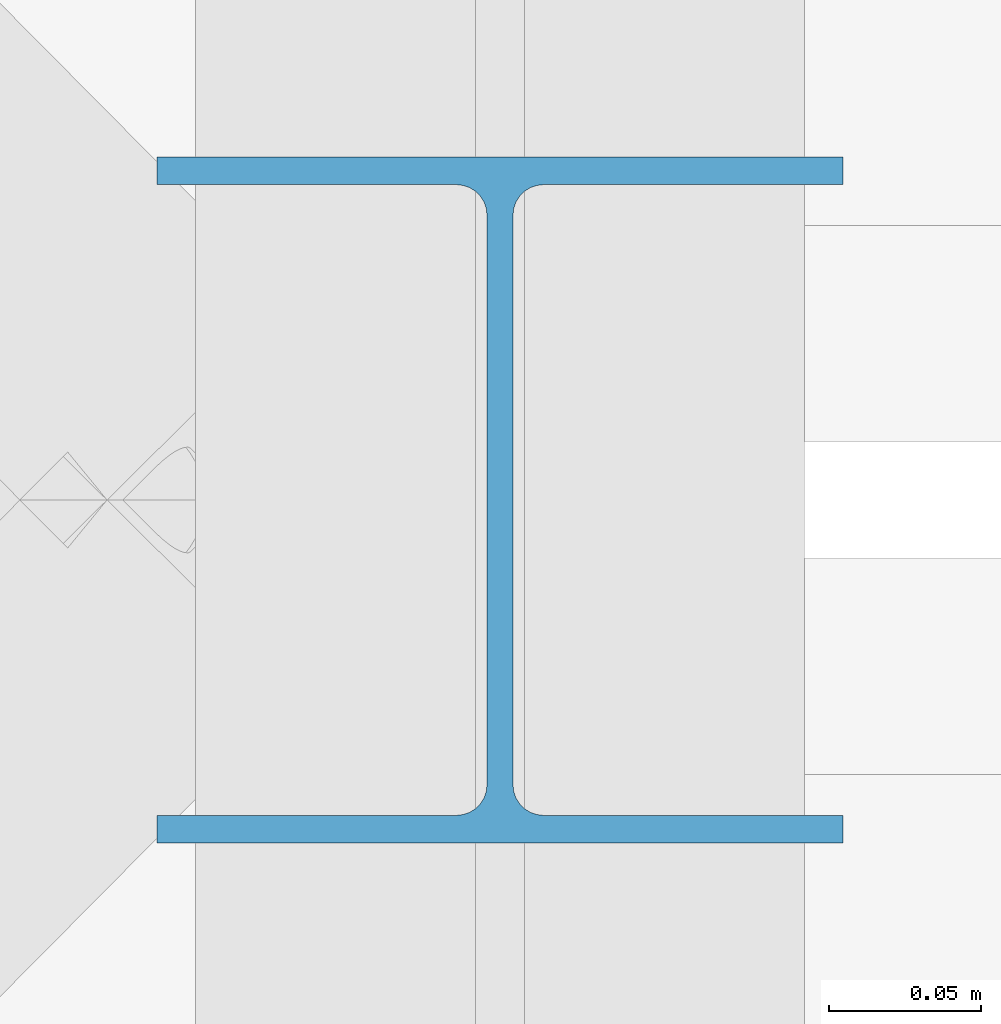
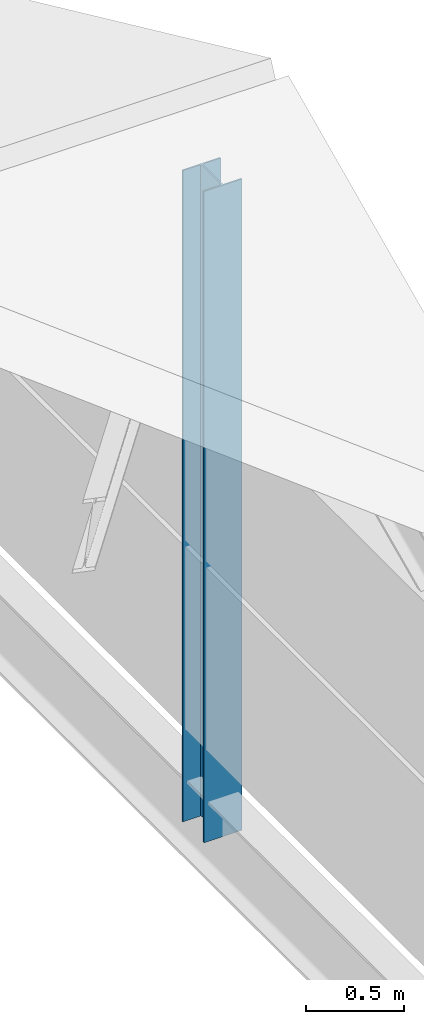
# One storey, part 90 of 163: 1 member.
"""IFC4 building model written with IfcOpenShell, lengths in metres."""

from ifc_helpers import new_model, si_unit, direction, frame, origin, origin_2d, place, context, subcontext, project, spatial, i_section, extrude, material, material_profile, profile_set, type_object, element, save


model = new_model("IFC4")

# Units and contexts
model_context = context("Model", 3, precision=1e-05, world=origin(), true_north=direction((0.0, 1.0)))
body_context = subcontext(model_context, "Body", "Model", "MODEL_VIEW")
ifc_project = project(units=[si_unit("LENGTHUNIT", "METRE"), si_unit("AREAUNIT", "SQUARE_METRE"), si_unit("VOLUMEUNIT", "CUBIC_METRE"), si_unit("PLANEANGLEUNIT", "RADIAN"), si_unit("MASSUNIT", "GRAM", prefix="KILO")], contexts=[model_context])

# Site, building, storey
site_placement = place(None, origin())
site = spatial("IfcSite", under=ifc_project, at=site_placement, CompositionType="ELEMENT")
building_placement = place(site_placement, origin())
building = spatial("IfcBuilding", under=site, at=building_placement, Name="Tharagai Park Tramway Depot", CompositionType="ELEMENT")
storey_placement = place(building_placement, frame((0.0, 0.0, 8.39990234375)))
storey = spatial("IfcBuildingStorey", under=building, at=storey_placement, Name="L02", CompositionType="ELEMENT", Elevation=8.39990234375)

# Member
ifc_material = material(Name="Steel E350", Category="steel")
ifc_material_profile = material_profile(ifc_material, i_section(OverallWidth=0.22509765625, OverallDepth=0.22509765625, WebThickness=0.008544921875, FlangeThickness=0.009033203125, FilletRadius=0.010009765625, at=origin_2d()), Name="ISHB 225")
ifc_profile_set = profile_set([ifc_material_profile], Name="Steel E350")
member_type = type_object("IfcMemberType", Name="BR-02", PredefinedType="BRACE", material=ifc_profile_set)
member_placement = place(storey_placement, frame((216.0, 126.0, -0.5), z_axis=(0.0, 0.0, 1.0), x_axis=(1.0, 0.0, 0.0)))
element("IfcMember", 1, at=member_placement, inside=storey, type_object=member_type, Name="V3B2 Gable King Strut BR-02", PredefinedType="BRACE", context=body_context, shape_type="SweptSolid", body=[
    extrude(i_section(OverallWidth=0.22509765625, OverallDepth=0.22509765625, WebThickness=0.008544921875, FlangeThickness=0.009033203125, FilletRadius=0.010009765625, at=origin_2d()), origin(), (0.0, 0.0, 1.0), 4.06982421875),
])

save(model, "model.ifc")
